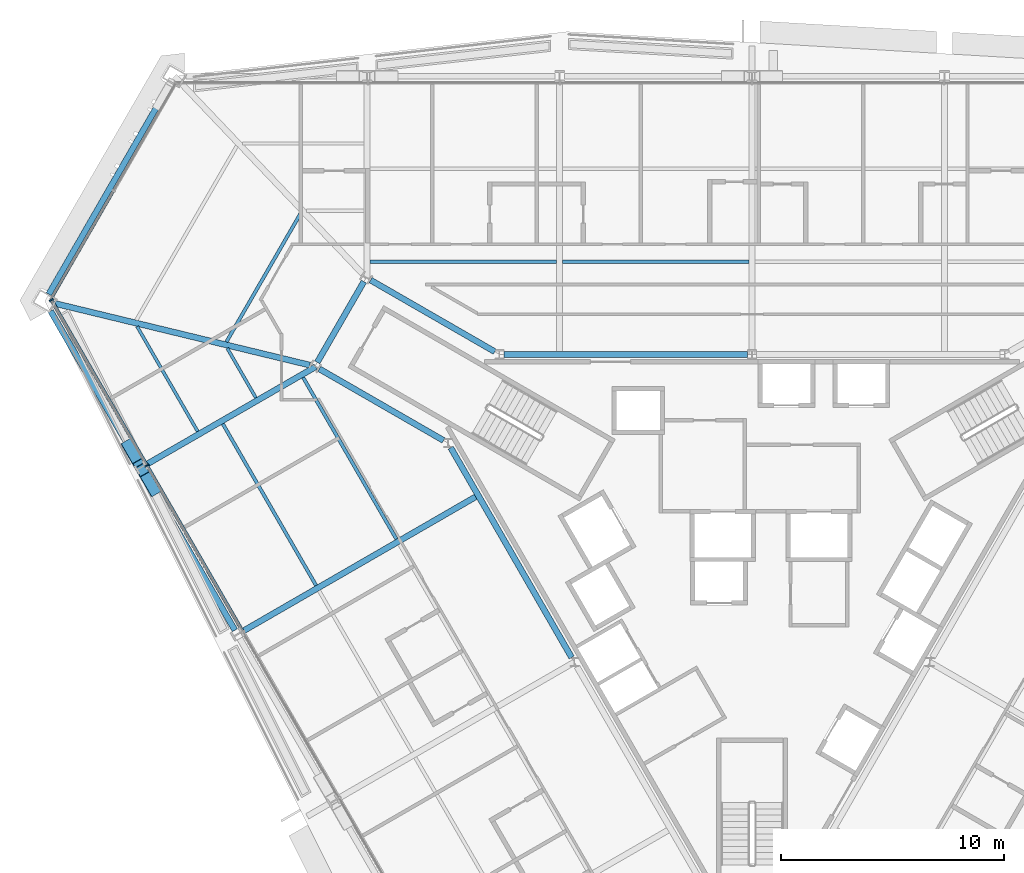
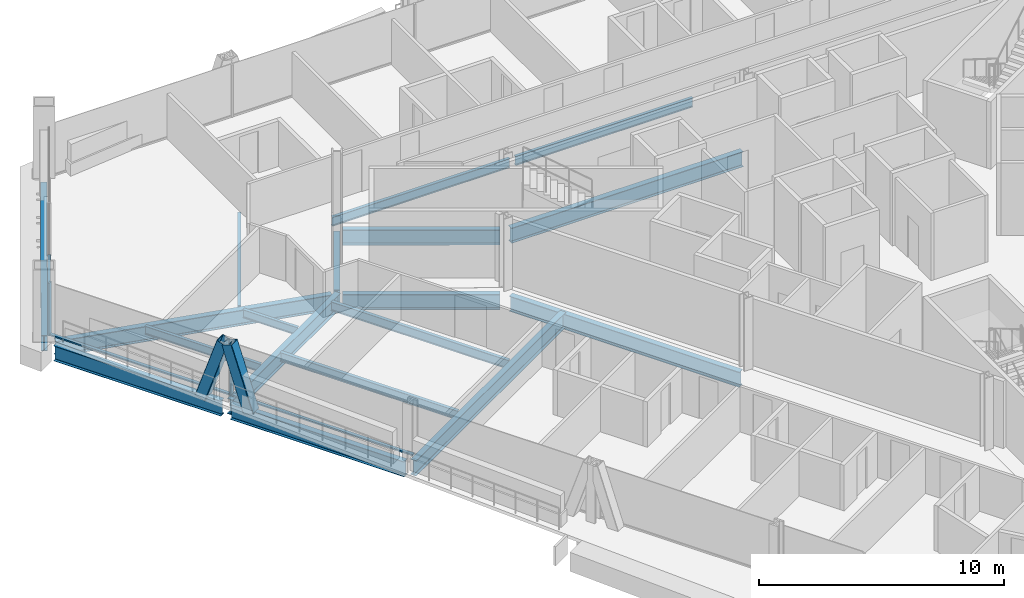
# One storey, part 7 of 18: 18 beams, 7 members, 2 elements without a shape of their own.
"""IFC4 building model written with IfcOpenShell, lengths in metres."""

from ifc_helpers import new_model, si_unit, direction, frame, origin, origin_2d, place, context, subcontext, project, spatial, rectangle, hollow_rectangle, i_section, extrude, material, material_profile, profile_set, type_object, element, aggregate, save


model = new_model("IFC4")

# Units and contexts
model_context = context("Model", 3, precision=1e-05, world=origin(), true_north=direction((0.0, 1.0)))
body_context = subcontext(model_context, "Body", "Model", "MODEL_VIEW")
ifc_project = project(units=[si_unit("LENGTHUNIT", "METRE"), si_unit("AREAUNIT", "SQUARE_METRE"), si_unit("VOLUMEUNIT", "CUBIC_METRE"), si_unit("PLANEANGLEUNIT", "RADIAN"), si_unit("MASSUNIT", "GRAM", prefix="KILO")], contexts=[model_context])

# Site, building, storey
site_placement = place(None, origin())
site = spatial("IfcSite", under=ifc_project, at=site_placement, CompositionType="ELEMENT")
building_placement = place(site_placement, origin())
building = spatial("IfcBuilding", under=site, at=building_placement, Name="Verrane Prism Tower", CompositionType="ELEMENT")
storey_placement = place(building_placement, frame((0.0, 0.0, 83.60009765625)))
storey = spatial("IfcBuildingStorey", under=building, at=storey_placement, Name="L19", CompositionType="ELEMENT", Elevation=83.60009765625)

# Beams
ifc_material_1 = material(Name="Steel A992", Category="steel")
ifc_material_profile_1 = material_profile(ifc_material_1, i_section(OverallWidth=0.2666015625, OverallDepth=0.76708984375, WebThickness=0.014892578125, FlangeThickness=0.023681640625, FilletRadius=0.0166015625, at=origin_2d()), Name="W30x124")
ifc_profile_set_1 = profile_set([ifc_material_profile_1], Name="Steel A992")
beam_type_1 = type_object("IfcBeamType", Name="Chamfer spandrel beam W30x124", PredefinedType="SPANDREL", material=ifc_profile_set_1)
beam_1_placement = place(storey_placement, frame((-26.07470703125, 21.36669921875, -0.543701171875), z_axis=(-0.499381576475, -0.866382156486, 0.0), x_axis=(0.866382156486, -0.499381576475, 0.0)))
element("IfcBeam", 1, at=beam_1_placement, inside=storey, type_object=beam_type_1, Name="Chamfer spandrel beam L19", PredefinedType="SPANDREL", context=body_context, shape_type="SweptSolid", body=[
    extrude(i_section(OverallWidth=0.2666015625, OverallDepth=0.76708984375, WebThickness=0.014892578125, FlangeThickness=0.023681640625, FilletRadius=0.0166015625, at=origin_2d()), origin(), (0.0, 0.0, 1.0), 10.934326171875),
])
ifc_material_2 = material(Name="Steel A992", Category="steel")
ifc_material_profile_2 = material_profile(ifc_material_2, i_section(OverallWidth=0.2666015625, OverallDepth=0.7568359375, WebThickness=0.013916015625, FlangeThickness=0.019287109375, FilletRadius=0.0166015625, at=origin_2d()), Name="W30x108")
ifc_profile_set_2 = profile_set([ifc_material_profile_2], Name="Steel A992")
beam_type_2 = type_object("IfcBeamType", Name="Core ring girder W30x108", PredefinedType="BEAM", material=ifc_profile_set_2)
beam_2_placement = place(storey_placement, frame((-0.203125, 9.199951171875, -0.628662109375), z_axis=(-1.0, 0.0, 0.0), x_axis=(0.0, -1.0, 0.0)))
element("IfcBeam", 2, at=beam_2_placement, inside=storey, type_object=beam_type_2, Name="Core ring girder L19", PredefinedType="BEAM", context=body_context, shape_type="SweptSolid", body=[
    extrude(i_section(OverallWidth=0.2666015625, OverallDepth=0.7568359375, WebThickness=0.013916015625, FlangeThickness=0.019287109375, FilletRadius=0.0166015625, at=origin_2d()), origin(), (0.0, 0.0, 1.0), 10.923583984375),
])
beam_3_placement = place(storey_placement, frame((-11.533203125, 9.317138671875, -0.628662109375), z_axis=(-0.866447229751, 0.499268663203, 0.0), x_axis=(-0.499268663203, -0.866447229751, 0.0)))
element("IfcBeam", 3, at=beam_3_placement, inside=storey, type_object=beam_type_2, Name="Core ring girder L19", PredefinedType="BEAM", context=body_context, shape_type="SweptSolid", body=[
    extrude(i_section(OverallWidth=0.2666015625, OverallDepth=0.7568359375, WebThickness=0.013916015625, FlangeThickness=0.019287109375, FilletRadius=0.0166015625, at=origin_2d()), origin(), (0.0, 0.0, 1.0), 6.428466796875),
])
beam_4_placement = place(storey_placement, frame((-17.40478515625, 12.45849609375, -0.628662109375), z_axis=(-0.500349643494, -0.865823442888, 0.0), x_axis=(0.865823442888, -0.500349643494, 0.0)))
element("IfcBeam", 4, at=beam_4_placement, inside=storey, type_object=beam_type_2, Name="Core ring girder L19", PredefinedType="BEAM", context=body_context, shape_type="SweptSolid", body=[
    extrude(i_section(OverallWidth=0.2666015625, OverallDepth=0.7568359375, WebThickness=0.013916015625, FlangeThickness=0.019287109375, FilletRadius=0.0166015625, at=origin_2d()), origin(), (0.0, 0.0, 1.0), 4.177734375),
])
beam_5_placement = place(storey_placement, frame((-19.403076171875, 8.54638671875, -0.628662109375), z_axis=(0.86646365882, -0.499240150574, 0.0), x_axis=(0.499240150574, 0.86646365882, 0.0)))
element("IfcBeam", 5, at=beam_5_placement, inside=storey, type_object=beam_type_2, Name="Core ring girder L19", PredefinedType="BEAM", context=body_context, shape_type="SweptSolid", body=[
    extrude(i_section(OverallWidth=0.2666015625, OverallDepth=0.7568359375, WebThickness=0.013916015625, FlangeThickness=0.019287109375, FilletRadius=0.0166015625, at=origin_2d()), origin(), (0.0, 0.0, 1.0), 6.42822265625),
])
beam_6_placement = place(storey_placement, frame((-13.510009765625, 5.01171875, -0.628662109375), z_axis=(0.499371892062, -0.866387738498, 0.0), x_axis=(0.866387738498, 0.499371892062, 0.0)))
element("IfcBeam", 6, at=beam_6_placement, inside=storey, type_object=beam_type_2, Name="Core ring girder L19", PredefinedType="BEAM", context=body_context, shape_type="SweptSolid", body=[
    extrude(i_section(OverallWidth=0.2666015625, OverallDepth=0.7568359375, WebThickness=0.013916015625, FlangeThickness=0.019287109375, FilletRadius=0.0166015625, at=origin_2d()), origin(), (0.0, 0.0, 1.0), 10.853515625),
])
ifc_material_3 = material(Name="Steel A992", Category="steel")
ifc_material_profile_3 = material_profile(ifc_material_3, i_section(OverallWidth=0.2666015625, OverallDepth=0.76708984375, WebThickness=0.014892578125, FlangeThickness=0.023681640625, FilletRadius=0.0166015625, at=origin_2d()), Name="W30x124")
ifc_profile_set_3 = profile_set([ifc_material_profile_3], Name="Steel A992")
beam_type_3 = type_object("IfcBeamType", Name="Corner girder W30x124", PredefinedType="BEAM", material=ifc_profile_set_3)
beam_7_placement = place(storey_placement, frame((-31.254150390625, 11.479736328125, -0.603515625), z_axis=(0.9719570894, -0.235158279388, 0.0), x_axis=(0.235158279388, 0.9719570894, 0.0)))
element("IfcBeam", 7, at=beam_7_placement, inside=storey, type_object=beam_type_3, Name="Corner girder L19", PredefinedType="BEAM", context=body_context, shape_type="SweptSolid", body=[
    extrude(i_section(OverallWidth=0.2666015625, OverallDepth=0.76708984375, WebThickness=0.014892578125, FlangeThickness=0.023681640625, FilletRadius=0.0166015625, at=origin_2d()), origin(), (0.0, 0.0, 1.0), 11.75341796875),
])

# Members
ifc_material_4 = material(Name="Steel A1085 Grade A", Category="steel")
ifc_material_profile_4 = material_profile(ifc_material_4, hollow_rectangle(XDim=0.508056640625, YDim=0.508056640625, WallThickness=0.025390625, InnerFilletRadius=0.0126953125, OuterFilletRadius=0.0380859375, at=origin_2d()), Name="HSS20x20x1")
ifc_profile_set_4 = profile_set([ifc_material_profile_4], Name="Steel A1085 Grade A")
member_type_1 = type_object("IfcMemberType", Name="Facade brace HSS20x20x1", PredefinedType="BRACE", material=ifc_profile_set_4)
member_1_placement = place(storey_placement, frame((-27.96630859375, 5.101318359375, -0.24267578125), z_axis=(0.158484811265, -0.275084350981, 0.948267454068), x_axis=(0.866482251007, 0.499207881238, 0.0)))
element("IfcMember", 8, at=member_1_placement, inside=storey, type_object=member_type_1, Name="Facade brace SW0 L19", PredefinedType="BRACE", context=body_context, shape_type="SweptSolid", body=[
    extrude(hollow_rectangle(XDim=0.508056640625, YDim=0.508056640625, WallThickness=0.025390625, InnerFilletRadius=0.0126953125, OuterFilletRadius=0.0380859375, at=origin_2d()), origin(), (0.0, 0.0, 1.0), 3.23486328125),
])
member_2_placement = place(storey_placement, frame((-26.83203125, 3.13671875, -0.24267578125), z_axis=(-0.158269121362, 0.273421988764, 0.948784117323), x_axis=(-0.865464465472, -0.500970317489, 0.0)))
element("IfcMember", 9, at=member_2_placement, inside=storey, type_object=member_type_1, Name="Facade brace SW1 L19", PredefinedType="BRACE", context=body_context, shape_type="SweptSolid", body=[
    extrude(hollow_rectangle(XDim=0.508056640625, YDim=0.508056640625, WallThickness=0.025390625, InnerFilletRadius=0.0126953125, OuterFilletRadius=0.0380859375, at=origin_2d()), origin(), (0.0, 0.0, 1.0), 3.233154296875),
])

# Beams
ifc_material_5 = material(Name="Steel A992", Category="steel")
ifc_material_profile_5 = material_profile(ifc_material_5, i_section(OverallWidth=0.140380859375, OverallDepth=0.40380859375, WebThickness=0.007080078125, FlangeThickness=0.01123046875, FilletRadius=0.01025390625, at=origin_2d()), Name="W16x31")
ifc_profile_set_5 = profile_set([ifc_material_profile_5], Name="Steel A992")
beam_type_4 = type_object("IfcBeamType", Name="Floor beam W16x31", PredefinedType="BEAM", material=ifc_profile_set_5)
beam_8_placement = place(storey_placement, frame((-22.246826171875, 7.248779296875, -0.362060546875), z_axis=(-0.499930841935, 0.86606532853, 0.0), x_axis=(-0.86606532853, -0.499930841935, 0.0)))
element("IfcBeam", 10, at=beam_8_placement, inside=storey, type_object=beam_type_4, Name="Floor beam L19", PredefinedType="BEAM", context=body_context, shape_type="SweptSolid", body=[
    extrude(i_section(OverallWidth=0.140380859375, OverallDepth=0.40380859375, WebThickness=0.007080078125, FlangeThickness=0.01123046875, FilletRadius=0.01025390625, at=origin_2d()), origin(), (0.0, 0.0, 1.0), 2.569091796875),
])
beam_9_placement = place(storey_placement, frame((-24.856689453125, 5.7421875, -0.362060546875), z_axis=(-0.500006102154, 0.866021880676, 0.0), x_axis=(-0.866021880676, -0.500006102154, 0.0)))
element("IfcBeam", 11, at=beam_9_placement, inside=storey, type_object=beam_type_4, Name="Floor beam L19", PredefinedType="BEAM", context=body_context, shape_type="SweptSolid", body=[
    extrude(i_section(OverallWidth=0.140380859375, OverallDepth=0.40380859375, WebThickness=0.007080078125, FlangeThickness=0.01123046875, FilletRadius=0.01025390625, at=origin_2d()), origin(), (0.0, 0.0, 1.0), 5.43896484375),
])
ifc_material_6 = material(Name="Steel A992", Category="steel")
ifc_material_profile_6 = material_profile(ifc_material_6, i_section(OverallWidth=0.15234375, OverallDepth=0.449462890625, WebThickness=0.007568359375, FlangeThickness=0.0107421875, FilletRadius=0.01025390625, at=origin_2d()), Name="W18x35")
ifc_profile_set_6 = profile_set([ifc_material_profile_6], Name="Steel A992")
beam_type_5 = type_object("IfcBeamType", Name="Floor beam W18x35", PredefinedType="BEAM", material=ifc_profile_set_6)
for number, where, z_axis, x_axis, name in (
    (12, (-8.49658203125, 13.356689453125, -0.385009765625), (1.0, 0.0, 0.0), (0.0, 1.0, 0.0), "Floor beam L19"),
    (13, (-17.12646484375, 13.356689453125, -0.385009765625), (1.0, 0.0, 0.0), (0.0, 1.0, 0.0), "Floor beam L19"),
):
    element("IfcBeam", number, at=place(storey_placement, frame(where, z_axis=z_axis, x_axis=x_axis)), inside=storey, type_object=beam_type_5, Name=name, PredefinedType="BEAM", context=body_context, shape_type="SweptSolid", body=[
        extrude(i_section(OverallWidth=0.15234375, OverallDepth=0.449462890625, WebThickness=0.007568359375, FlangeThickness=0.0107421875, FilletRadius=0.01025390625, at=origin_2d()), origin(), (0.0, 0.0, 1.0), 8.363037109375),
    ])
beam_10_placement = place(storey_placement, frame((-15.946533203125, 0.915771484375, -0.385009765625), z_axis=(-0.500001954328, 0.866024275449, 0.0), x_axis=(-0.866024275449, -0.500001954328, 0.0)))
element("IfcBeam", 14, at=beam_10_placement, inside=storey, type_object=beam_type_5, Name="Floor beam L19", PredefinedType="BEAM", context=body_context, shape_type="SweptSolid", body=[
    extrude(i_section(OverallWidth=0.15234375, OverallDepth=0.449462890625, WebThickness=0.007568359375, FlangeThickness=0.0107421875, FilletRadius=0.01025390625, at=origin_2d()), origin(), (0.0, 0.0, 1.0), 8.36767578125),
])
beam_11_placement = place(storey_placement, frame((-19.547119140625, -1.164794921875, -0.385009765625), z_axis=(-0.499979169146, 0.86603743015, 0.0), x_axis=(-0.86603743015, -0.499979169146, 0.0)))
element("IfcBeam", 15, at=beam_11_placement, inside=storey, type_object=beam_type_5, Name="Floor beam L19", PredefinedType="BEAM", context=body_context, shape_type="SweptSolid", body=[
    extrude(i_section(OverallWidth=0.15234375, OverallDepth=0.449462890625, WebThickness=0.007568359375, FlangeThickness=0.0107421875, FilletRadius=0.01025390625, at=origin_2d()), origin(), (0.0, 0.0, 1.0), 8.369384765625),
])
beam_12_placement = place(storey_placement, frame((-23.568603515625, 9.757568359375, -0.385009765625), z_axis=(0.500007828009, 0.866020884234, 0.0), x_axis=(-0.866020884234, 0.500007828009, 0.0)))
element("IfcBeam", 16, at=beam_12_placement, inside=storey, type_object=beam_type_5, Name="Floor beam L19", PredefinedType="BEAM", context=body_context, shape_type="SweptSolid", body=[
    extrude(i_section(OverallWidth=0.15234375, OverallDepth=0.449462890625, WebThickness=0.007568359375, FlangeThickness=0.0107421875, FilletRadius=0.01025390625, at=origin_2d()), origin(), (0.0, 0.0, 1.0), 6.6650390625),
])

# Curtain wall, members
ifc_material_7 = material(Name="Aluminium framed insulated glazing", Category="aluminium")
curtain_wall_type_1 = type_object("IfcCurtainWallType", Name="Curtain wall CW-A 8400 module", PredefinedType="NOTDEFINED", material=ifc_material_7)
curtain_wall_1_placement = place(storey_placement, origin())
curtain_wall_1 = element("IfcCurtainWall", 17, at=curtain_wall_1_placement, inside=storey, type_object=curtain_wall_type_1, Name="Glazed curtain wall south-west face L19", PredefinedType="NOTDEFINED")
ifc_material_8 = material(Name="Aluminium alloy 6063-T6", Category="aluminium")
ifc_material_profile_7 = material_profile(ifc_material_8, rectangle(XDim=0.199951171875, YDim=0.070068359375, at=origin_2d()), Name="Mullion 70x200 aluminium")
ifc_profile_set_7 = profile_set([ifc_material_profile_7], Name="Aluminium alloy 6063-T6")
member_type_2 = type_object("IfcMemberType", Name="Mullion 70x200 aluminium", PredefinedType="MULLION", material=ifc_profile_set_7)
member_3_placement = place(storey_placement, frame((-31.418701171875, 11.63720703125, 0.0), z_axis=(0.0, 0.0, 1.0), x_axis=(0.866025845387, 0.499999235121, 0.0)))
member_3 = element("IfcMember", 18, at=member_3_placement, type_object=member_type_2, Name="CW17.4 mullion 1", PredefinedType="MULLION", context=body_context, shape_type="SweptSolid", body=[
    extrude(rectangle(XDim=0.199951171875, YDim=0.070068359375, at=origin_2d()), origin(), (0.0, 0.0, 1.0), 2.61279296875),
])
member_4_placement = place(storey_placement, frame((-27.132568359375, 4.213134765625, 0.0), z_axis=(0.0, 0.0, 1.0), x_axis=(0.866025845387, 0.499999235121, 0.0)))
member_4 = element("IfcMember", 19, at=member_4_placement, type_object=member_type_2, Name="CW17.4 mullion 2", PredefinedType="MULLION", context=body_context, shape_type="SweptSolid", body=[
    extrude(rectangle(XDim=0.199951171875, YDim=0.070068359375, at=origin_2d()), origin(), (0.0, 0.0, 1.0), 2.61279296875),
])

# Beams
ifc_material_9 = material(Name="Steel A992", Category="steel")
ifc_material_profile_8 = material_profile(ifc_material_9, i_section(OverallWidth=0.2666015625, OverallDepth=0.76708984375, WebThickness=0.014892578125, FlangeThickness=0.023681640625, FilletRadius=0.0166015625, at=origin_2d()), Name="W30x124")
ifc_profile_set_8 = profile_set([ifc_material_profile_8], Name="Steel A992")
beam_type_6 = type_object("IfcBeamType", Name="Radial girder W30x124", PredefinedType="BEAM", material=ifc_profile_set_8)
beam_13_placement = place(storey_placement, frame((-27.184326171875, 4.244384765625, -0.603515625), z_axis=(0.866025632151, 0.499999604458, 0.0), x_axis=(-0.499999604458, 0.866025632151, 0.0)))
element("IfcBeam", 20, at=beam_13_placement, inside=storey, type_object=beam_type_6, Name="Radial girder L19", PredefinedType="BEAM", context=body_context, shape_type="SweptSolid", body=[
    extrude(i_section(OverallWidth=0.2666015625, OverallDepth=0.76708984375, WebThickness=0.014892578125, FlangeThickness=0.023681640625, FilletRadius=0.0166015625, at=origin_2d()), origin(), (0.0, 0.0, 1.0), 8.79443359375),
])
beam_14_placement = place(storey_placement, frame((-22.864501953125, -3.235595703125, -0.603515625), z_axis=(0.866023267252, 0.500003700565, 0.0), x_axis=(-0.500003700565, 0.866023267252, 0.0)))
element("IfcBeam", 21, at=beam_14_placement, inside=storey, type_object=beam_type_6, Name="Radial girder L19", PredefinedType="BEAM", context=body_context, shape_type="SweptSolid", body=[
    extrude(i_section(OverallWidth=0.2666015625, OverallDepth=0.76708984375, WebThickness=0.014892578125, FlangeThickness=0.023681640625, FilletRadius=0.0166015625, at=origin_2d()), origin(), (0.0, 0.0, 1.0), 12.22314453125),
])
ifc_material_10 = material(Name="Steel A992", Category="steel")
ifc_material_profile_9 = material_profile(ifc_material_10, i_section(OverallWidth=0.2666015625, OverallDepth=0.7568359375, WebThickness=0.013916015625, FlangeThickness=0.019287109375, FilletRadius=0.0166015625, at=origin_2d()), Name="W30x108")
ifc_profile_set_9 = profile_set([ifc_material_profile_9], Name="Steel A992")
beam_type_7 = type_object("IfcBeamType", Name="Spandrel beam W30x108", PredefinedType="SPANDREL", material=ifc_profile_set_9)
beam_15_placement = place(storey_placement, frame((-31.4501953125, 11.139892578125, -0.53857421875), z_axis=(0.499747458948, -0.866171159341, 0.0), x_axis=(0.866171159341, 0.499747458948, 0.0)))
element("IfcBeam", 22, at=beam_15_placement, inside=storey, type_object=beam_type_7, Name="Spandrel beam L19", PredefinedType="SPANDREL", context=body_context, shape_type="SweptSolid", body=[
    extrude(i_section(OverallWidth=0.2666015625, OverallDepth=0.7568359375, WebThickness=0.013916015625, FlangeThickness=0.019287109375, FilletRadius=0.0166015625, at=origin_2d()), origin(), (0.0, 0.0, 1.0), 7.888671875),
])
beam_16_placement = place(storey_placement, frame((-27.2919921875, 3.93310546875, -0.53857421875), z_axis=(0.50011302801, -0.865960137197, 0.0), x_axis=(0.865960137197, 0.50011302801, 0.0)))
element("IfcBeam", 23, at=beam_16_placement, inside=storey, type_object=beam_type_7, Name="Spandrel beam L19", PredefinedType="SPANDREL", context=body_context, shape_type="SweptSolid", body=[
    extrude(i_section(OverallWidth=0.2666015625, OverallDepth=0.7568359375, WebThickness=0.013916015625, FlangeThickness=0.019287109375, FilletRadius=0.0166015625, at=origin_2d()), origin(), (0.0, 0.0, 1.0), 8.2060546875),
])

# Curtain wall, member
ifc_material_11 = material(Name="Aluminium framed insulated glazing", Category="aluminium")
curtain_wall_type_2 = type_object("IfcCurtainWallType", Name="Curtain wall CW-B 5600 module", PredefinedType="NOTDEFINED", material=ifc_material_11)
curtain_wall_2_placement = place(storey_placement, origin())
curtain_wall_2 = element("IfcCurtainWall", 24, at=curtain_wall_2_placement, inside=storey, type_object=curtain_wall_type_2, Name="Glazed curtain wall north-west corner L19", PredefinedType="NOTDEFINED")
ifc_material_12 = material(Name="Aluminium alloy 6063-T6", Category="aluminium")
ifc_material_profile_10 = material_profile(ifc_material_12, rectangle(XDim=0.1201171875, YDim=0.06005859375, at=origin_2d()), Name="Transom 60x120 aluminium")
ifc_profile_set_10 = profile_set([ifc_material_profile_10], Name="Aluminium alloy 6063-T6")
member_type_3 = type_object("IfcMemberType", Name="Transom 60x120 aluminium", PredefinedType="USERDEFINED", material=ifc_profile_set_10)
member_5_placement = place(storey_placement, frame((-28.644287109375, 16.503173828125, 0.02978515625), z_axis=(-0.500013878146, -0.866017391085, 0.0), x_axis=(0.866017391085, -0.500013878146, 0.0)))
member_5 = element("IfcMember", 25, at=member_5_placement, type_object=member_type_3, Name="CW17.3 transom 2", ObjectType="TRANSOM", PredefinedType="USERDEFINED", context=body_context, shape_type="SweptSolid", body=[
    extrude(rectangle(XDim=0.1201171875, YDim=0.06005859375, at=origin_2d()), origin(), (0.0, 0.0, 1.0), 5.583740234375),
])
aggregate(curtain_wall_2, [member_5])

# Member
ifc_material_13 = material(Name="Aluminium alloy 6063-T6", Category="aluminium")
ifc_material_profile_11 = material_profile(ifc_material_13, rectangle(XDim=0.14990234375, YDim=0.070068359375, at=origin_2d()), Name="Transom 70x150 aluminium")
ifc_profile_set_11 = profile_set([ifc_material_profile_11], Name="Aluminium alloy 6063-T6")
member_type_4 = type_object("IfcMemberType", Name="Transom 70x150 aluminium", PredefinedType="USERDEFINED", material=ifc_profile_set_11)
member_6_placement = place(storey_placement, frame((-31.4013671875, 11.606689453125, 0.034912109375), z_axis=(0.500002495586, -0.866023962952, 0.0), x_axis=(0.866023962952, 0.500002495586, 0.0)))
member_6 = element("IfcMember", 26, at=member_6_placement, type_object=member_type_4, Name="CW17.4 transom 1", ObjectType="TRANSOM", PredefinedType="USERDEFINED", context=body_context, shape_type="SweptSolid", body=[
    extrude(rectangle(XDim=0.14990234375, YDim=0.070068359375, at=origin_2d()), origin(), (0.0, 0.0, 1.0), 8.50244140625),
])

member_7_placement = place(storey_placement, frame((-27.114990234375, 4.182861328125, 0.034912109375), z_axis=(0.499977418008, -0.866038441111, 0.0), x_axis=(0.866038441111, 0.499977418008, 0.0)))
member_7 = element("IfcMember", 27, at=member_7_placement, type_object=member_type_4, Name="CW17.4 transom 2", ObjectType="TRANSOM", PredefinedType="USERDEFINED", context=body_context, shape_type="SweptSolid", body=[
    extrude(rectangle(XDim=0.14990234375, YDim=0.070068359375, at=origin_2d()), origin(), (0.0, 0.0, 1.0), 8.53759765625),
])

aggregate(curtain_wall_1, [member_3, member_4, member_6, member_7])

save(model, "model.ifc")
